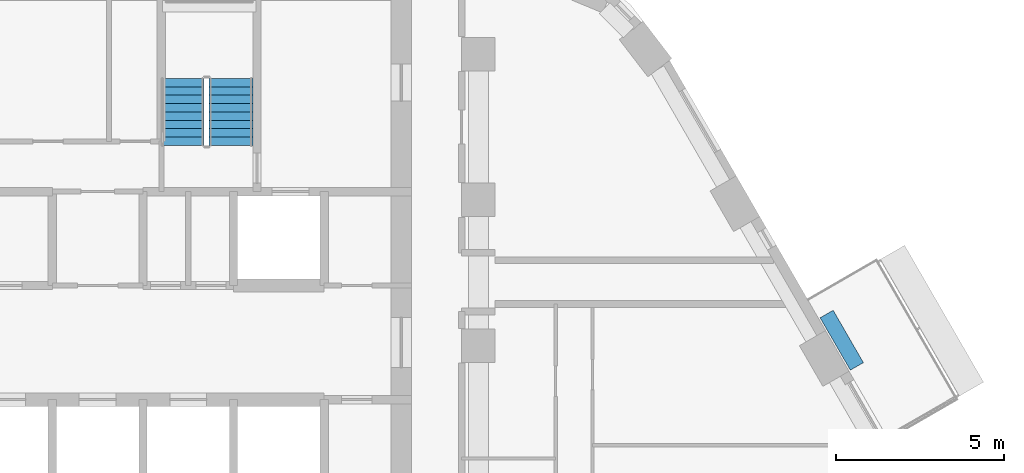
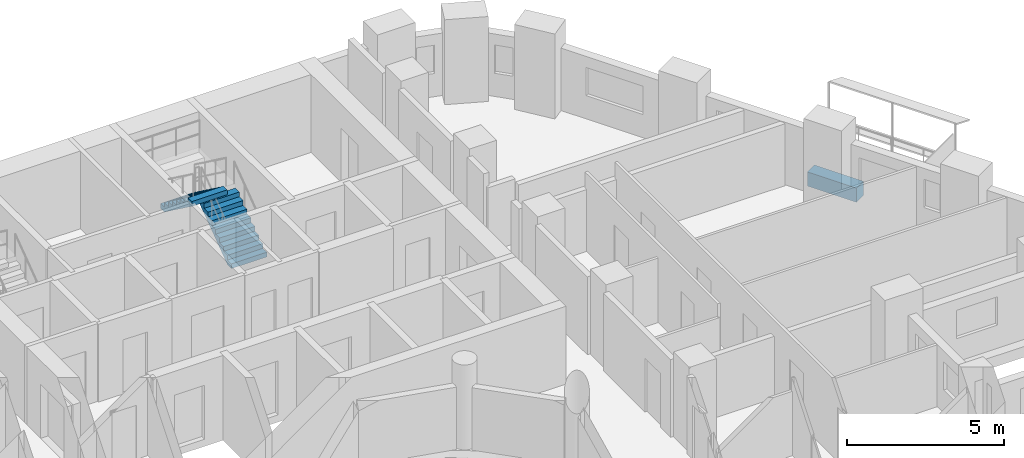
# One storey, part 9 of 13: 2 stair flights, 1 discrete accessory, 1 element without a shape of its own.
"""IFC4 building model written with IfcOpenShell, lengths in metres."""

from ifc_helpers import new_model, si_unit, direction, frame, origin, origin_2d, place, context, subcontext, project, spatial, polyline, rectangle, outline, extrude, material, type_object, element, aggregate, save


model = new_model("IFC4")

# Units and contexts
model_context = context("Model", 3, precision=1e-05, world=origin(), true_north=direction((0.0, 1.0)))
body_context = subcontext(model_context, "Body", "Model", "MODEL_VIEW")
ifc_project = project(units=[si_unit("LENGTHUNIT", "METRE"), si_unit("AREAUNIT", "SQUARE_METRE"), si_unit("VOLUMEUNIT", "CUBIC_METRE"), si_unit("PLANEANGLEUNIT", "RADIAN"), si_unit("MASSUNIT", "GRAM", prefix="KILO")], contexts=[model_context])

# Site, building, storey
site_placement = place(None, origin())
site = spatial("IfcSite", under=ifc_project, at=site_placement, CompositionType="ELEMENT")
building_placement = place(site_placement, origin())
building = spatial("IfcBuilding", under=site, at=building_placement, Name="Nakaniwa Court", CompositionType="ELEMENT")
storey_placement = place(building_placement, frame((0.0, 0.0, 81.0)))
storey = spatial("IfcBuildingStorey", under=building, at=storey_placement, Name="L20", CompositionType="ELEMENT", Elevation=81.0)

# Stair, stair flights
ifc_material_1 = material(Name="Concrete C80/100", Category="concrete")
stair_type = type_object("IfcStairType", Name="Dog leg stair 1300 wide 18 risers", PredefinedType="HALF_TURN_STAIR", material=ifc_material_1)
stair_placement = place(storey_placement, origin())
stair = element("IfcStair", 1, at=stair_placement, inside=storey, type_object=stair_type, Name="L20 Stair ST2", PredefinedType="HALF_TURN_STAIR")
stair_flight_type = type_object("IfcStairFlightType", Name="Stair flight 1300 wide 9 risers", PredefinedType="STRAIGHT", material=ifc_material_1)
stair_flight_1_placement = place(storey_placement, frame((82.625, 98.27490234375, 0.0), z_axis=(0.0, 0.0, 1.0), x_axis=(0.0, 1.0, 0.0)))
stair_flight_1 = element("IfcStairFlight", 2, at=stair_flight_1_placement, type_object=stair_flight_type, Name="ST2 flight 1", NumberOfRisers=9, NumberOfTreads=8, PredefinedType="STRAIGHT", RiserHeight=0.183333333, TreadLength=0.25, context=body_context, shape_type="SweptSolid", body=[
    extrude(outline(polyline([(0.0, 0.0), (0.0, 0.026123046875), (0.0, 0.052490234375), (0.0, 0.07861328125), (0.0, 0.104736328125), (0.0, 0.130859375), (0.0, 0.1572265625), (0.0, 0.183349609375), (0.25, 0.183349609375), (0.25, 0.36669921875), (0.5, 0.36669921875), (0.5, 0.550048828125), (0.75, 0.550048828125), (0.75, 0.7333984375), (1.0, 0.7333984375), (1.0, 0.916748046875), (1.25, 0.916748046875), (1.25, 1.10009765625), (1.5, 1.10009765625), (1.5, 1.283447265625), (1.75, 1.283447265625), (1.75, 1.466552734375), (2.0, 1.466552734375), (2.0, 1.64990234375), (2.0, 1.59716796875), (2.0, 1.54443359375), (2.0, 1.49169921875), (2.0, 1.43896484375), (2.0, 1.38623046875), (2.0, 1.33349609375), (2.0, 1.28076171875), (0.25341796875, 0.0), (0.0, 0.0)])), frame((0.0, 0.64990234375, 0.0), z_axis=(0.0, -1.0, 0.0), x_axis=(1.0, 0.0, 0.0)), (0.0, 0.0, 1.0), 1.300048828125),
])
stair_flight_2_placement = place(storey_placement, frame((81.175048828125, 100.27490234375, 1.64990234375), z_axis=(0.0, 0.0, 1.0), x_axis=(0.0, -1.0, 0.0)))
stair_flight_2 = element("IfcStairFlight", 3, at=stair_flight_2_placement, type_object=stair_flight_type, Name="ST2 flight 2", NumberOfRisers=9, NumberOfTreads=8, PredefinedType="STRAIGHT", RiserHeight=0.183333333, TreadLength=0.25, context=body_context, shape_type="SweptSolid", body=[
    extrude(outline(polyline([(0.0, 0.0), (0.0, 0.026123046875), (0.0, 0.052490234375), (0.0, 0.07861328125), (0.0, 0.104736328125), (0.0, 0.130859375), (0.0, 0.1572265625), (0.0, 0.183349609375), (0.25, 0.183349609375), (0.25, 0.36669921875), (0.5, 0.36669921875), (0.5, 0.550048828125), (0.75, 0.550048828125), (0.75, 0.7333984375), (1.0, 0.7333984375), (1.0, 0.916748046875), (1.25, 0.916748046875), (1.25, 1.10009765625), (1.5, 1.10009765625), (1.5, 1.283447265625), (1.75, 1.283447265625), (1.75, 1.466552734375), (2.0, 1.466552734375), (2.0, 1.64990234375), (2.0, 1.59716796875), (2.0, 1.54443359375), (2.0, 1.49169921875), (2.0, 1.43896484375), (2.0, 1.38623046875), (2.0, 1.33349609375), (2.0, 1.28076171875), (0.25341796875, 0.0), (0.0, 0.0)])), frame((0.0, 0.64990234375, 0.0), z_axis=(0.0, -1.0, 0.0), x_axis=(1.0, 0.0, 0.0)), (0.0, 0.0, 1.0), 1.300048828125),
])
aggregate(stair, [stair_flight_1, stair_flight_2])

# Discrete accessory
ifc_material_2 = material(Name="Precast concrete C40/50 planter with planted soil", Category="concrete")
discrete_accessory_type = type_object("IfcDiscreteAccessoryType", Name="Planter box charcoal concrete", PredefinedType="USERDEFINED", material=ifc_material_2)
discrete_accessory_placement = place(storey_placement, frame((100.83154296875, 92.46875, -0.0498046875), z_axis=(0.0, 0.0, 1.0), x_axis=(-0.499974304289, 0.866040238702, 0.0)))
element("IfcDiscreteAccessory", 4, at=discrete_accessory_placement, inside=storey, type_object=discrete_accessory_type, Name="L20 balcony PLANTER 01", ObjectType="PLANTER", PredefinedType="USERDEFINED", context=body_context, shape_type="SweptSolid", body=[
    extrude(rectangle(XDim=1.803955078125, YDim=0.449951171875, at=origin_2d()), origin(), (0.0, 0.0, 1.0), 0.550048828125),
])

save(model, "model.ifc")
